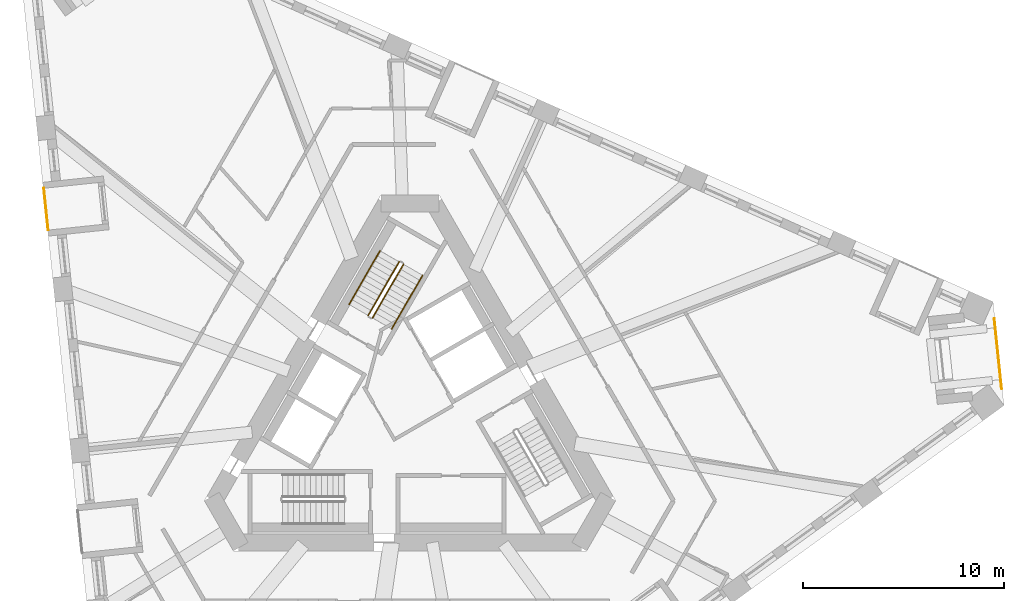
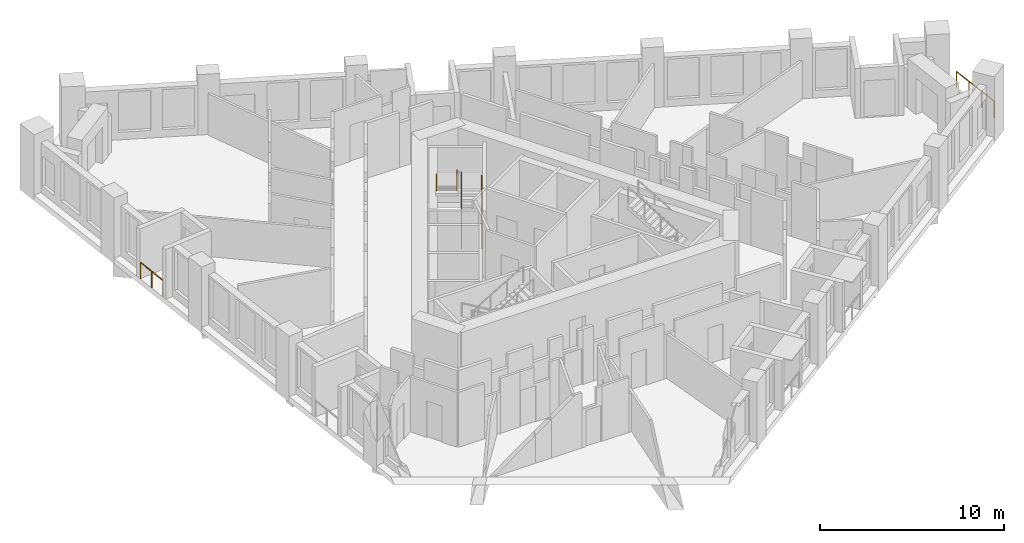
# One storey, part 12 of 14: 6 railings.
"""IFC4 building model written with IfcOpenShell, lengths in metres."""

from ifc_helpers import new_model, si_unit, direction, frame, origin, origin_2d, place, context, subcontext, project, spatial, circle, extrude, material, type_object, element, save


model = new_model("IFC4")

# Units and contexts
model_context = context("Model", 3, precision=1e-05, world=origin(), true_north=direction((0.0, 1.0)))
body_context = subcontext(model_context, "Body", "Model", "MODEL_VIEW")
ifc_project = project(units=[si_unit("LENGTHUNIT", "METRE"), si_unit("AREAUNIT", "SQUARE_METRE"), si_unit("VOLUMEUNIT", "CUBIC_METRE"), si_unit("PLANEANGLEUNIT", "RADIAN"), si_unit("MASSUNIT", "GRAM", prefix="KILO")], contexts=[model_context])

# Site, building, storey
site_placement = place(None, origin())
site = spatial("IfcSite", under=ifc_project, at=site_placement, CompositionType="ELEMENT")
building_placement = place(site_placement, origin())
building = spatial("IfcBuilding", under=site, at=building_placement, Name="Tramontana Tower", CompositionType="ELEMENT")
storey_placement = place(building_placement, frame((0.0, 0.0, 162.800048828125)))
storey = spatial("IfcBuildingStorey", under=building, at=storey_placement, Name="L37", CompositionType="ELEMENT", Elevation=162.800048828125)

# Railings
ifc_material_1 = material(Name="Laminated glass balustrade", Category="glass")
railing_type_1 = type_object("IfcRailingType", Name="GD1 Loggia glass balustrade 1100", PredefinedType="BALUSTRADE", material=ifc_material_1)
railing_1_placement = place(storey_placement, frame((-18.25390625, 11.325439453125, 0.0)))
element("IfcRailing", 1, at=railing_1_placement, inside=storey, type_object=railing_type_1, Name="Loggia balustrade L37 G4S0.4", PredefinedType="BALUSTRADE", context=body_context, shape_type="SweptSolid", body=[
    extrude(circle(Radius=0.02392578125, at=origin_2d()), frame((0.0, 0.0, 1.076171875), z_axis=(0.104569484464, -0.994517583011, 0.0), x_axis=(0.994517583011, 0.104569484464, 0.0)), (0.0, 0.0, 1.0), 2.09423828125),
    extrude(circle(Radius=0.02099609375, at=origin_2d()), origin(), (0.0, 0.0, 1.0), 1.052001953125),
    extrude(circle(Radius=0.02099609375, at=origin_2d()), frame((0.109375, -1.04150390625, 0.0)), (0.0, 0.0, 1.0), 1.052001953125),
    extrude(circle(Radius=0.02099609375, at=origin_2d()), frame((0.218994140625, -2.082763671875, 0.0)), (0.0, 0.0, 1.0), 1.052001953125),
])
railing_2_placement = place(storey_placement, frame((29.125732421875, 4.82080078125, 0.0)))
element("IfcRailing", 2, at=railing_2_placement, inside=storey, type_object=railing_type_1, Name="Corner loggia balustrade L37 K42", PredefinedType="BALUSTRADE", context=body_context, shape_type="SweptSolid", body=[
    extrude(circle(Radius=0.02392578125, at=origin_2d()), frame((0.0, 0.0, 1.076171875), z_axis=(0.104495960989, -0.994525310958, 0.0), x_axis=(0.994525310958, 0.104495960989, 0.0)), (0.0, 0.0, 1.0), 3.499755859375),
    extrude(circle(Radius=0.02099609375, at=origin_2d()), origin(), (0.0, 0.0, 1.0), 1.052001953125),
    extrude(circle(Radius=0.02099609375, at=origin_2d()), frame((0.121826171875, -1.16015625, 0.0)), (0.0, 0.0, 1.0), 1.052001953125),
    extrude(circle(Radius=0.02099609375, at=origin_2d()), frame((0.243896484375, -2.320556640625, 0.0)), (0.0, 0.0, 1.0), 1.052001953125),
    extrude(circle(Radius=0.02099609375, at=origin_2d()), frame((0.36572265625, -3.480712890625, 0.0)), (0.0, 0.0, 1.0), 1.052001953125),
])
ifc_material_2 = material(Name="Painted steel", Category="steel")
railing_type_2 = type_object("IfcRailingType", Name="STAIR GUARD 1100", PredefinedType="GUARDRAIL", material=ifc_material_2)
railing_3_placement = place(storey_placement, frame((-1.867431640625, 4.865478515625, 0.16650390625)))
element("IfcRailing", 3, at=railing_3_placement, inside=storey, type_object=railing_type_2, Name="L37 ST1 stair guard 1", PredefinedType="GUARDRAIL", context=body_context, shape_type="SweptSolid", body=[
    extrude(circle(Radius=0.02392578125, at=origin_2d()), frame((0.0, 0.0, 1.076171875), z_axis=(0.429634447492, 0.7441639146, 0.511502013422), x_axis=(-0.866029832698, 0.499992328818, 0.0)), (0.0, 0.0, 1.0), 3.58447265625),
    extrude(circle(Radius=0.02099609375, at=origin_2d()), origin(), (0.0, 0.0, 1.0), 1.052001953125),
    extrude(circle(Radius=0.02099609375, at=origin_2d()), frame((0.513427734375, 0.88916015625, 0.611083984375)), (0.0, 0.0, 1.0), 1.052001953125),
    extrude(circle(Radius=0.02099609375, at=origin_2d()), frame((1.026611328125, 1.7783203125, 1.222412109375)), (0.0, 0.0, 1.0), 1.052001953125),
    extrude(circle(Radius=0.02099609375, at=origin_2d()), frame((1.5400390625, 2.66748046875, 1.83349609375)), (0.0, 0.0, 1.0), 1.052001953125),
])
railing_4_placement = place(storey_placement, frame((-0.5439453125, 7.657958984375, 2.16650390625)))
element("IfcRailing", 4, at=railing_4_placement, inside=storey, type_object=railing_type_2, Name="L37 ST1 stair guard 2", PredefinedType="GUARDRAIL", context=body_context, shape_type="SweptSolid", body=[
    extrude(circle(Radius=0.02392578125, at=origin_2d()), frame((0.0, 0.0, 1.076171875), z_axis=(-0.429634447492, -0.7441639146, 0.511502013422), x_axis=(0.866029832698, -0.499992328818, 0.0)), (0.0, 0.0, 1.0), 3.58447265625),
    extrude(circle(Radius=0.02099609375, at=origin_2d()), origin(), (0.0, 0.0, 1.0), 1.052001953125),
    extrude(circle(Radius=0.02099609375, at=origin_2d()), frame((-0.513427734375, -0.88916015625, 0.611083984375)), (0.0, 0.0, 1.0), 1.052001953125),
    extrude(circle(Radius=0.02099609375, at=origin_2d()), frame((-1.026611328125, -1.7783203125, 1.222412109375)), (0.0, 0.0, 1.0), 1.052001953125),
    extrude(circle(Radius=0.02099609375, at=origin_2d()), frame((-1.5400390625, -2.66748046875, 1.83349609375)), (0.0, 0.0, 1.0), 1.052001953125),
])
ifc_material_3 = material(Name="Painted steel", Category="steel")
railing_type_3 = type_object("IfcRailingType", Name="STAIR HANDRAIL 900", PredefinedType="HANDRAIL", material=ifc_material_3)
railing_5_placement = place(storey_placement, frame((-0.914794921875, 4.315673828125, 0.16650390625)))
element("IfcRailing", 5, at=railing_5_placement, inside=storey, type_object=railing_type_3, Name="L37 ST1 stair handrail 1", PredefinedType="HANDRAIL", context=body_context, shape_type="SweptSolid", body=[
    extrude(circle(Radius=0.02392578125, at=origin_2d()), frame((0.0, 0.0, 0.8759765625), z_axis=(0.429656224001, 0.744133520484, 0.511527939481), x_axis=(-0.866010015463, 0.500026652407, 0.0)), (0.0, 0.0, 1.0), 3.58447265625),
    extrude(circle(Radius=0.02099609375, at=origin_2d()), origin(), (0.0, 0.0, 1.0), 0.851806640625),
    extrude(circle(Radius=0.02099609375, at=origin_2d()), frame((0.513427734375, 0.88916015625, 0.611083984375)), (0.0, 0.0, 1.0), 0.851806640625),
    extrude(circle(Radius=0.02099609375, at=origin_2d()), frame((1.026611328125, 1.778076171875, 1.222412109375)), (0.0, 0.0, 1.0), 0.851806640625),
    extrude(circle(Radius=0.02099609375, at=origin_2d()), frame((1.5400390625, 2.667236328125, 1.83349609375)), (0.0, 0.0, 1.0), 0.851806640625),
])
railing_6_placement = place(storey_placement, frame((-1.49658203125, 8.2080078125, 2.16650390625)))
element("IfcRailing", 6, at=railing_6_placement, inside=storey, type_object=railing_type_3, Name="L37 ST1 stair handrail 2", PredefinedType="HANDRAIL", context=body_context, shape_type="SweptSolid", body=[
    extrude(circle(Radius=0.02392578125, at=origin_2d()), frame((0.0, 0.0, 0.8759765625), z_axis=(-0.429634447492, -0.7441639146, 0.511502013422), x_axis=(0.866029832698, -0.499992328818, 0.0)), (0.0, 0.0, 1.0), 3.58447265625),
    extrude(circle(Radius=0.02099609375, at=origin_2d()), origin(), (0.0, 0.0, 1.0), 0.851806640625),
    extrude(circle(Radius=0.02099609375, at=origin_2d()), frame((-0.513427734375, -0.88916015625, 0.611083984375)), (0.0, 0.0, 1.0), 0.851806640625),
    extrude(circle(Radius=0.02099609375, at=origin_2d()), frame((-1.026611328125, -1.7783203125, 1.222412109375)), (0.0, 0.0, 1.0), 0.851806640625),
    extrude(circle(Radius=0.02099609375, at=origin_2d()), frame((-1.5400390625, -2.66748046875, 1.83349609375)), (0.0, 0.0, 1.0), 0.851806640625),
])

save(model, "model.ifc")
